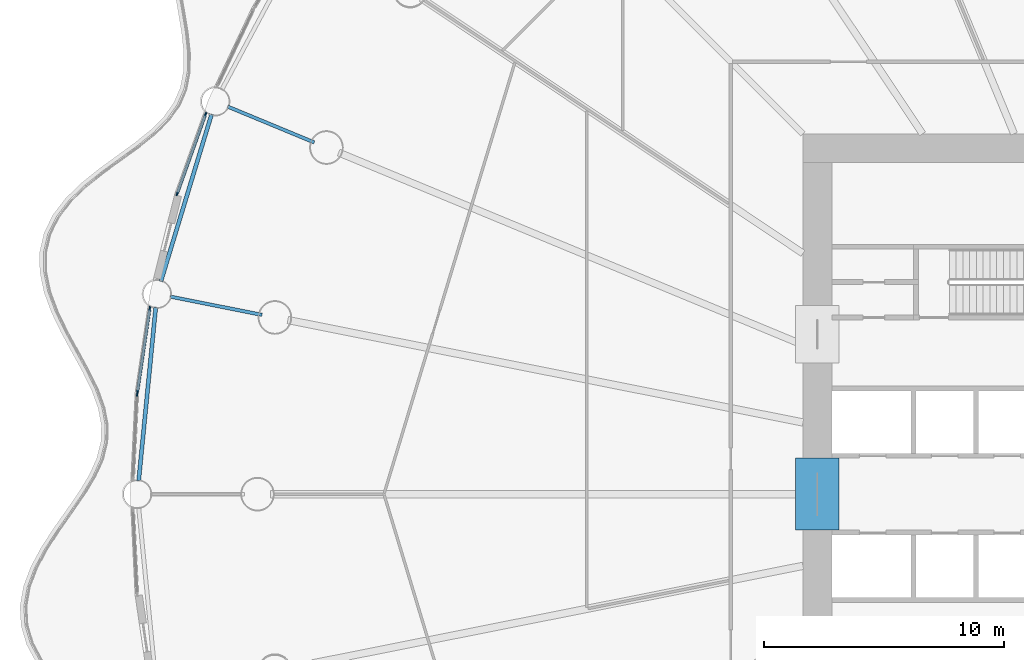
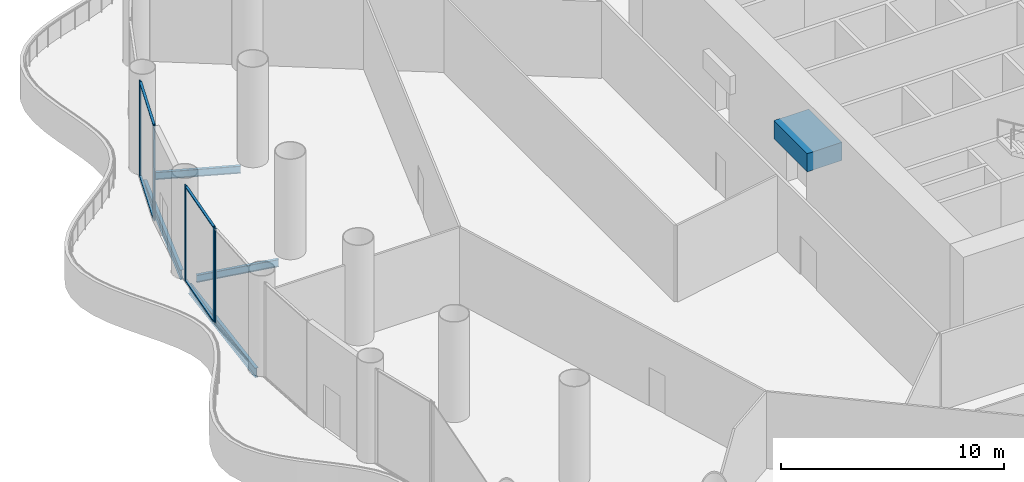
# One storey, part 8 of 37: 9 members, 5 beams, 3 elements without a shape of their own.
"""IFC4 building model written with IfcOpenShell, lengths in metres."""

from ifc_helpers import new_model, si_unit, direction, frame, origin, origin_2d, place, context, subcontext, project, spatial, rectangle, i_section, extrude, material, material_profile, profile_set, type_object, element, aggregate, save


model = new_model("IFC4")

# Units and contexts
model_context = context("Model", 3, precision=1e-05, world=origin(), true_north=direction((0.0, 1.0)))
body_context = subcontext(model_context, "Body", "Model", "MODEL_VIEW")
ifc_project = project(units=[si_unit("LENGTHUNIT", "METRE"), si_unit("AREAUNIT", "SQUARE_METRE"), si_unit("VOLUMEUNIT", "CUBIC_METRE"), si_unit("PLANEANGLEUNIT", "RADIAN"), si_unit("MASSUNIT", "GRAM", prefix="KILO")], contexts=[model_context])

# Site, building, storey
site_placement = place(None, origin())
site = spatial("IfcSite", under=ifc_project, at=site_placement, CompositionType="ELEMENT")
building_placement = place(site_placement, origin())
building = spatial("IfcBuilding", under=site, at=building_placement, Name="Corvane Civic Tower", CompositionType="ELEMENT")
storey_placement = place(building_placement, frame((0.0, 0.0, 11.5)))
storey = spatial("IfcBuildingStorey", under=building, at=storey_placement, Name="L02", CompositionType="ELEMENT", Elevation=11.5)

# Beams
ifc_material_1 = material(Name="Concrete C80/95", Category="concrete")
ifc_material_profile_1 = material_profile(ifc_material_1, rectangle(XDim=1.800048828125, YDim=1.0, at=origin_2d()), Name="COUPLING BEAM 1800X1000")
ifc_profile_set_1 = profile_set([ifc_material_profile_1], Name="Concrete C80/95")
beam_type_1 = type_object("IfcBeamType", Name="COUPLING BEAM COUPLING BEAM 1800X1000", PredefinedType="BEAM", material=ifc_profile_set_1)
beam_placement = place(storey_placement, frame((-14.39990234375, -1.5, 2.60009765625), z_axis=(0.0, 1.0, 0.0), x_axis=(-1.0, 0.0, 0.0)))
element("IfcBeam", 1, at=beam_placement, inside=storey, type_object=beam_type_1, Name="BM-L02-cpl-CW-LW", PredefinedType="BEAM", context=body_context, shape_type="SweptSolid", body=[
    extrude(rectangle(XDim=1.800048828125, YDim=1.0, at=origin_2d()), origin(), (0.0, 0.0, 1.0), 3.0),
])
ifc_material_2 = material(Name="Steel ASTM A992 Gr 50", Category="steel")
ifc_material_profile_2 = material_profile(ifc_material_2, i_section(OverallWidth=0.165771484375, OverallDepth=0.5283203125, WebThickness=0.009765625, FlangeThickness=0.013671875, at=origin_2d()), Name="W21X50")
ifc_profile_set_2 = profile_set([ifc_material_profile_2], Name="Steel ASTM A992 Gr 50")
beam_type_2 = type_object("IfcBeamType", Name="EDGE BEAM W21X50", PredefinedType="BEAM", material=ifc_profile_set_2)
for number, where, z_axis, x_axis, name in (
    (2, (-42.64599609375, 0.54736328125, -0.564208984375), (0.097984225478, 0.995187967953, 0.0), (-0.995187967953, 0.097984225478, 0.0), "BM-L02-E25"),
    (3, (-41.719970703125, 8.856689453125, -0.564208984375), (0.290291633127, 0.956938225664, 0.0), (-0.956938225664, 0.290291633127, 0.0), "BM-L02-E26"),
):
    element("IfcBeam", number, at=place(storey_placement, frame(where, z_axis=z_axis, x_axis=x_axis)), inside=storey, type_object=beam_type_2, Name=name, PredefinedType="BEAM", context=body_context, shape_type="SweptSolid", body=[
        extrude(i_section(OverallWidth=0.165771484375, OverallDepth=0.5283203125, WebThickness=0.009765625, FlangeThickness=0.013671875, at=origin_2d()), origin(), (0.0, 0.0, 1.0), 7.2705078125),
    ])
ifc_material_3 = material(Name="Steel ASTM A992 Gr 50", Category="steel")
ifc_material_profile_3 = material_profile(ifc_material_3, i_section(OverallWidth=0.140380859375, OverallDepth=0.40380859375, WebThickness=0.007080078125, FlangeThickness=0.01123046875, at=origin_2d()), Name="W16X31")
ifc_profile_set_3 = profile_set([ifc_material_profile_3], Name="Steel ASTM A992 Gr 50")
beam_type_3 = type_object("IfcBeamType", Name="FLOOR GIRDER W16X31", PredefinedType="BEAM", material=ifc_profile_set_3)
for number, where, z_axis, x_axis, name in (
    (4, (-37.51513671875, 7.462158203125, -0.501953125), (-0.980777614264, 0.195128858343, 0.0), (-0.195128858343, -0.980777614264, 0.0), "BM-L02-G26b"),
    (5, (-35.33837890625, 14.6376953125, -0.501953125), (-0.923878730261, 0.382685369162, 0.0), (-0.382685369162, -0.923878730261, 0.0), "BM-L02-G27b"),
):
    element("IfcBeam", number, at=place(storey_placement, frame(where, z_axis=z_axis, x_axis=x_axis)), inside=storey, type_object=beam_type_3, Name=name, PredefinedType="BEAM", context=body_context, shape_type="SweptSolid", body=[
        extrude(i_section(OverallWidth=0.140380859375, OverallDepth=0.40380859375, WebThickness=0.007080078125, FlangeThickness=0.01123046875, at=origin_2d()), origin(), (0.0, 0.0, 1.0), 3.89990234375),
    ])

# Curtain wall, member
ifc_material_4 = material(Name="Aluminium and glass", Category="aluminium")
curtain_wall_type = type_object("IfcCurtainWallType", Name="PODIUM-CW-P-RUN", PredefinedType="NOTDEFINED", material=ifc_material_4)
curtain_wall_1_placement = place(storey_placement, origin())
curtain_wall_1 = element("IfcCurtainWall", 6, at=curtain_wall_1_placement, inside=storey, type_object=curtain_wall_type, Name="PODI run L02-drum-25A", PredefinedType="NOTDEFINED")
ifc_material_5 = material(Name="Anodised aluminium bronze", Category="aluminium")
ifc_material_profile_4 = material_profile(ifc_material_5, rectangle(XDim=0.06005859375, YDim=0.159912109375, at=origin_2d()), Name="AL 60x160")
ifc_profile_set_4 = profile_set([ifc_material_profile_4], Name="Anodised aluminium bronze")
member_type_1 = type_object("IfcMemberType", Name="PODIUM-CWP-MULLION-60x160", PredefinedType="MULLION", material=ifc_profile_set_4)
member_1_placement = place(storey_placement, frame((-42.70556640625, 4.16064453125, 0.0), z_axis=(0.0, 0.0, 1.0), x_axis=(-0.998796316803, 0.04905015332, 0.0)))
member_1 = element("IfcMember", 7, at=member_1_placement, type_object=member_type_1, Name="CW-P mullion 2", PredefinedType="MULLION", context=body_context, shape_type="SweptSolid", body=[
    extrude(rectangle(XDim=0.06005859375, YDim=0.159912109375, at=origin_2d()), origin(), (0.0, 0.0, 1.0), 5.199951171875),
])
aggregate(curtain_wall_1, [member_1])

# Curtain wall, members
curtain_wall_2_placement = place(storey_placement, origin())
curtain_wall_2 = element("IfcCurtainWall", 8, at=curtain_wall_2_placement, inside=storey, type_object=curtain_wall_type, Name="PODI run L02-drum-25B", PredefinedType="NOTDEFINED")
member_2_placement = place(storey_placement, frame((-42.696533203125, 4.2509765625, 0.0), z_axis=(0.0, 0.0, 1.0), x_axis=(-0.989178850608, 0.146714694252, 0.0)))
member_2 = element("IfcMember", 9, at=member_2_placement, type_object=member_type_1, Name="CW-P mullion 1", PredefinedType="MULLION", context=body_context, shape_type="SweptSolid", body=[
    extrude(rectangle(XDim=0.06005859375, YDim=0.159912109375, at=origin_2d()), origin(), (0.0, 0.0, 1.0), 5.199951171875),
])
member_3_placement = place(storey_placement, frame((-42.18017578125, 7.732666015625, 0.0), z_axis=(0.0, 0.0, 1.0), x_axis=(-0.989178850608, 0.146714694252, 0.0)))
member_3 = element("IfcMember", 10, at=member_3_placement, type_object=member_type_1, Name="CW-P mullion 2", PredefinedType="MULLION", context=body_context, shape_type="SweptSolid", body=[
    extrude(rectangle(XDim=0.06005859375, YDim=0.159912109375, at=origin_2d()), origin(), (0.0, 0.0, 1.0), 5.199951171875),
])

curtain_wall_3_placement = place(storey_placement, origin())
curtain_wall_3 = element("IfcCurtainWall", 11, at=curtain_wall_3_placement, inside=storey, type_object=curtain_wall_type, Name="PODI run L02-drum-26B", PredefinedType="NOTDEFINED")
member_4_placement = place(storey_placement, frame((-41.046875, 12.4990234375, 0.0), z_axis=(0.0, 0.0, 1.0), x_axis=(-0.941533802561, 0.336918534123, 0.0)))
member_4 = element("IfcMember", 12, at=member_4_placement, type_object=member_type_1, Name="CW-P mullion 1", PredefinedType="MULLION", context=body_context, shape_type="SweptSolid", body=[
    extrude(rectangle(XDim=0.06005859375, YDim=0.159912109375, at=origin_2d()), origin(), (0.0, 0.0, 1.0), 5.199951171875),
])
member_5_placement = place(storey_placement, frame((-39.861083984375, 15.81298828125, 0.0), z_axis=(0.0, 0.0, 1.0), x_axis=(-0.941533802561, 0.336918534123, 0.0)))
member_5 = element("IfcMember", 13, at=member_5_placement, type_object=member_type_1, Name="CW-P mullion 2", PredefinedType="MULLION", context=body_context, shape_type="SweptSolid", body=[
    extrude(rectangle(XDim=0.06005859375, YDim=0.159912109375, at=origin_2d()), origin(), (0.0, 0.0, 1.0), 5.199951171875),
])

# Member
ifc_material_6 = material(Name="Anodised aluminium bronze", Category="aluminium")
ifc_material_profile_5 = material_profile(ifc_material_6, rectangle(XDim=0.1201171875, YDim=0.06005859375, at=origin_2d()), Name="AL 120x60")
ifc_profile_set_5 = profile_set([ifc_material_profile_5], Name="Anodised aluminium bronze")
member_type_2 = type_object("IfcMemberType", Name="PODIUM-CWP-TRANSOM-60x120", PredefinedType="USERDEFINED", material=ifc_profile_set_5)
member_6_placement = place(storey_placement, frame((-42.692138671875, 4.28076171875, 0.030029296875), z_axis=(0.146704660039, 0.989180338828, 0.0), x_axis=(-0.989180338828, 0.146704660039, 0.0)))
member_6 = element("IfcMember", 14, at=member_6_placement, type_object=member_type_2, Name="CW-P transom 1.1", ObjectType="TRANSOM", PredefinedType="USERDEFINED", context=body_context, shape_type="SweptSolid", body=[
    extrude(rectangle(XDim=0.1201171875, YDim=0.06005859375, at=origin_2d()), origin(), (0.0, 0.0, 1.0), 3.459716796875),
])

member_7_placement = place(storey_placement, frame((-42.692138671875, 4.28076171875, 5.169921875), z_axis=(0.146704660039, 0.989180338828, 0.0), x_axis=(-0.989180338828, 0.146704660039, 0.0)))
member_7 = element("IfcMember", 15, at=member_7_placement, type_object=member_type_2, Name="CW-P transom 1.2", ObjectType="TRANSOM", PredefinedType="USERDEFINED", context=body_context, shape_type="SweptSolid", body=[
    extrude(rectangle(XDim=0.1201171875, YDim=0.06005859375, at=origin_2d()), origin(), (0.0, 0.0, 1.0), 3.459716796875),
])

aggregate(curtain_wall_2, [member_2, member_3, member_6, member_7])

member_8_placement = place(storey_placement, frame((-41.036865234375, 12.527099609375, 0.030029296875), z_axis=(0.336939787896, 0.941526196838, 0.0), x_axis=(-0.941526196838, 0.336939787896, 0.0)))
member_8 = element("IfcMember", 16, at=member_8_placement, type_object=member_type_2, Name="CW-P transom 1.1", ObjectType="TRANSOM", PredefinedType="USERDEFINED", context=body_context, shape_type="SweptSolid", body=[
    extrude(rectangle(XDim=0.1201171875, YDim=0.06005859375, at=origin_2d()), origin(), (0.0, 0.0, 1.0), 3.4599609375),
])

member_9_placement = place(storey_placement, frame((-41.036865234375, 12.527099609375, 5.169921875), z_axis=(0.336939787896, 0.941526196838, 0.0), x_axis=(-0.941526196838, 0.336939787896, 0.0)))
member_9 = element("IfcMember", 17, at=member_9_placement, type_object=member_type_2, Name="CW-P transom 1.2", ObjectType="TRANSOM", PredefinedType="USERDEFINED", context=body_context, shape_type="SweptSolid", body=[
    extrude(rectangle(XDim=0.1201171875, YDim=0.06005859375, at=origin_2d()), origin(), (0.0, 0.0, 1.0), 3.4599609375),
])

aggregate(curtain_wall_3, [member_4, member_5, member_8, member_9])

save(model, "model.ifc")
